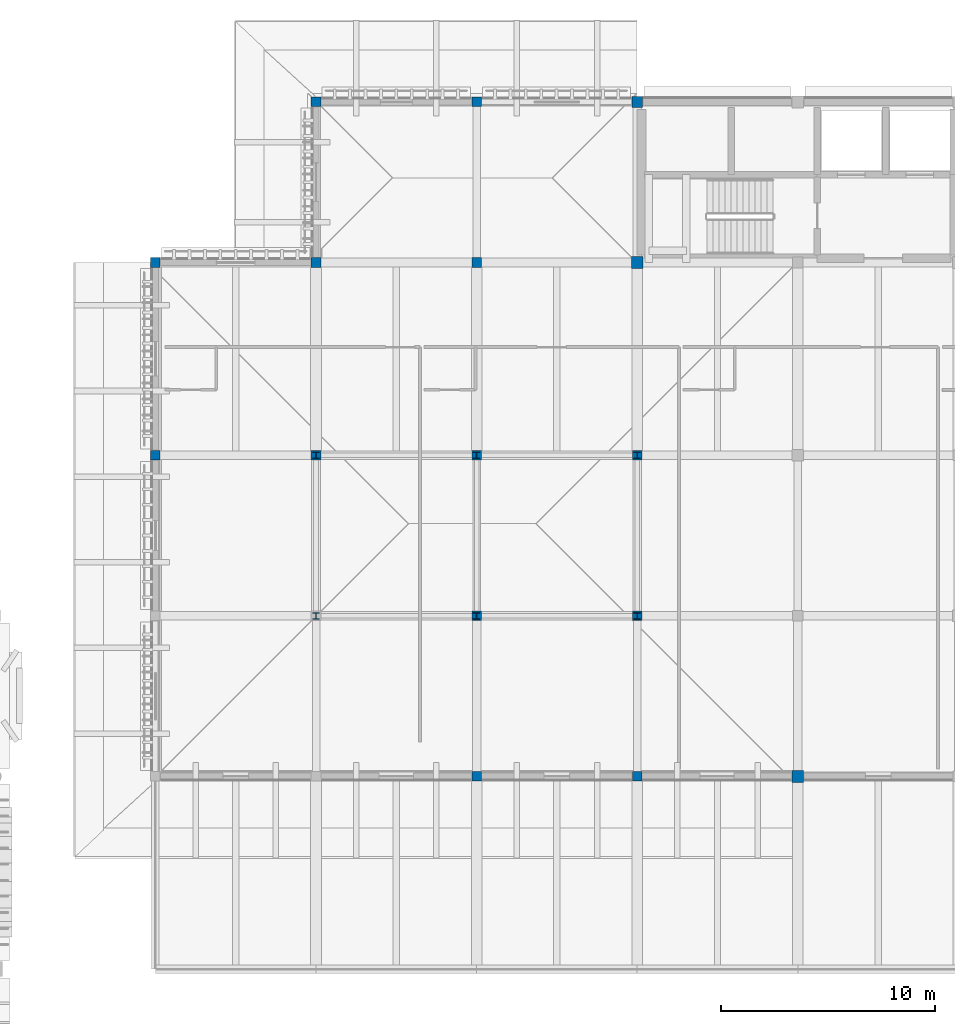
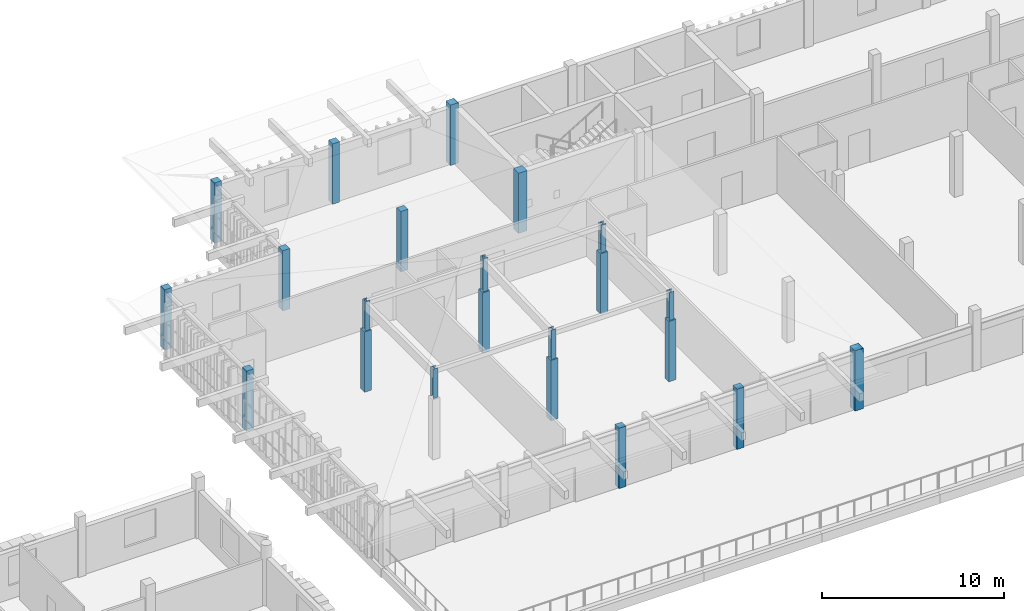
# One storey, part 5 of 48: 22 columns.
"""IFC4 building model written with IfcOpenShell, lengths in metres."""

from ifc_helpers import new_model, si_unit, direction, frame, origin, origin_2d, place, context, subcontext, project, spatial, rectangle, i_section, extrude, material, material_profile, profile_set, type_object, element, save


model = new_model("IFC4")

# Units and contexts
model_context = context("Model", 3, precision=1e-05, world=origin(), true_north=direction((0.0, 1.0)))
body_context = subcontext(model_context, "Body", "Model", "MODEL_VIEW")
ifc_project = project(units=[si_unit("LENGTHUNIT", "METRE"), si_unit("AREAUNIT", "SQUARE_METRE"), si_unit("VOLUMEUNIT", "CUBIC_METRE"), si_unit("PLANEANGLEUNIT", "RADIAN"), si_unit("MASSUNIT", "GRAM", prefix="KILO")], contexts=[model_context])

# Site, building, storey
site_placement = place(None, origin())
site = spatial("IfcSite", under=ifc_project, at=site_placement, CompositionType="ELEMENT")
building_placement = place(site_placement, origin())
building = spatial("IfcBuilding", under=site, at=building_placement, Name="Dalvernix Boulevard General Hospital", CompositionType="ELEMENT")
storey_placement = place(building_placement, frame((0.0, 0.0, 17.85009765625)))
storey = spatial("IfcBuildingStorey", under=building, at=storey_placement, Name="L04", CompositionType="ELEMENT", Elevation=17.85009765625)

# Columns
ifc_material_1 = material(Name="Concrete C40/50", Category="concrete")
ifc_material_profile_1 = material_profile(ifc_material_1, rectangle(XDim=0.550048828125, YDim=0.550048828125, at=origin_2d()), Name="RC 550x550")
ifc_profile_set_1 = profile_set([ifc_material_profile_1], Name="Concrete C40/50")
column_type_1 = type_object("IfcColumnType", Name="COL-C-08-E", PredefinedType="COLUMN", material=ifc_profile_set_1)
column_1_placement = place(storey_placement, frame((67.5, 85.5, 0.0), z_axis=(0.0, 0.0, 1.0), x_axis=(1.0, 0.0, 0.0)))
element("IfcColumn", 1, at=column_1_placement, inside=storey, type_object=column_type_1, Name="L04 column 10M", PredefinedType="COLUMN", context=body_context, shape_type="SweptSolid", body=[
    extrude(rectangle(XDim=0.550048828125, YDim=0.550048828125, at=origin_2d()), origin(), (0.0, 0.0, 1.0), 4.0498046875),
])
ifc_material_profile_2 = material_profile(ifc_material_1, rectangle(XDim=0.550048828125, YDim=0.550048828125, at=origin_2d()), Name="RC 550x550")
ifc_profile_set_2 = profile_set([ifc_material_profile_2], Name="Concrete C40/50")
column_type_2 = type_object("IfcColumnType", Name="COL-C-08-I", PredefinedType="COLUMN", material=ifc_profile_set_2)
column_2_placement = place(storey_placement, frame((60.0, 109.5, 0.0), z_axis=(0.0, 0.0, 1.0), x_axis=(1.0, 0.0, 0.0)))
element("IfcColumn", 2, at=column_2_placement, inside=storey, type_object=column_type_2, Name="L04 column 9Q", PredefinedType="COLUMN", context=body_context, shape_type="SweptSolid", body=[
    extrude(rectangle(XDim=0.550048828125, YDim=0.550048828125, at=origin_2d()), origin(), (0.0, 0.0, 1.0), 4.0498046875),
])
ifc_material_profile_3 = material_profile(ifc_material_1, rectangle(XDim=0.5, YDim=0.5, at=origin_2d()), Name="RC 500x500")
ifc_profile_set_3 = profile_set([ifc_material_profile_3], Name="Concrete C40/50")
column_type_3 = type_object("IfcColumnType", Name="COL-C-09-E", PredefinedType="COLUMN", material=ifc_profile_set_3)
column_3_placement = place(storey_placement, frame((60.0, 117.0, 0.0), z_axis=(0.0, 0.0, 1.0), x_axis=(1.0, 0.0, 0.0)))
element("IfcColumn", 3, at=column_3_placement, inside=storey, type_object=column_type_3, Name="L04 column 9R", PredefinedType="COLUMN", context=body_context, shape_type="SweptSolid", body=[
    extrude(rectangle(XDim=0.5, YDim=0.5, at=origin_2d()), origin(), (0.0, 0.0, 1.0), 4.0498046875),
])
ifc_material_profile_4 = material_profile(ifc_material_1, rectangle(XDim=0.449951171875, YDim=0.449951171875, at=origin_2d()), Name="RC 450x450")
ifc_profile_set_4 = profile_set([ifc_material_profile_4], Name="Concrete C40/50")
column_type_4 = type_object("IfcColumnType", Name="COL-C-10-E", PredefinedType="COLUMN", material=ifc_profile_set_4)
for number, where, z_axis, x_axis, name in (
    (4, (37.5, 100.5, 0.0), (0.0, 0.0, 1.0), (1.0, 0.0, 0.0), "L04 column 6P"),
    (5, (37.5, 109.5, 0.0), (0.0, 0.0, 1.0), (1.0, 0.0, 0.0), "L04 column 6Q"),
    (6, (45.0, 109.5, 0.0), (0.0, 0.0, 1.0), (1.0, 0.0, 0.0), "L04 column 7Q"),
    (7, (45.0, 117.0, 0.0), (0.0, 0.0, 1.0), (1.0, 0.0, 0.0), "L04 column 7R"),
    (8, (52.5, 85.5, 0.0), (0.0, 0.0, 1.0), (1.0, 0.0, 0.0), "L04 column 8M"),
    (9, (52.5, 117.0, 0.0), (0.0, 0.0, 1.0), (1.0, 0.0, 0.0), "L04 column 8R"),
    (10, (60.0, 85.5, 0.0), (0.0, 0.0, 1.0), (1.0, 0.0, 0.0), "L04 column 9M"),
):
    element("IfcColumn", number, at=place(storey_placement, frame(where, z_axis=z_axis, x_axis=x_axis)), inside=storey, type_object=column_type_4, Name=name, PredefinedType="COLUMN", context=body_context, shape_type="SweptSolid", body=[
        extrude(rectangle(XDim=0.449951171875, YDim=0.449951171875, at=origin_2d()), origin(), (0.0, 0.0, 1.0), 4.0498046875),
    ])
ifc_material_profile_5 = material_profile(ifc_material_1, rectangle(XDim=0.449951171875, YDim=0.449951171875, at=origin_2d()), Name="RC 450x450")
ifc_profile_set_5 = profile_set([ifc_material_profile_5], Name="Concrete C40/50")
column_type_5 = type_object("IfcColumnType", Name="COL-C-10-I", PredefinedType="COLUMN", material=ifc_profile_set_5)
for number, where, z_axis, x_axis, name in (
    (11, (45.0, 100.5, 0.0), (0.0, 0.0, 1.0), (1.0, 0.0, 0.0), "L04 column 7P"),
    (12, (52.5, 93.0, 0.0), (0.0, 0.0, 1.0), (1.0, 0.0, 0.0), "L04 column 8N"),
    (13, (52.5, 100.5, 0.0), (0.0, 0.0, 1.0), (1.0, 0.0, 0.0), "L04 column 8P"),
    (14, (52.5, 109.5, 0.0), (0.0, 0.0, 1.0), (1.0, 0.0, 0.0), "L04 column 8Q"),
    (15, (60.0, 93.0, 0.0), (0.0, 0.0, 1.0), (1.0, 0.0, 0.0), "L04 column 9N"),
    (16, (60.0, 100.5, 0.0), (0.0, 0.0, 1.0), (1.0, 0.0, 0.0), "L04 column 9P"),
):
    element("IfcColumn", number, at=place(storey_placement, frame(where, z_axis=z_axis, x_axis=x_axis)), inside=storey, type_object=column_type_5, Name=name, PredefinedType="COLUMN", context=body_context, shape_type="SweptSolid", body=[
        extrude(rectangle(XDim=0.449951171875, YDim=0.449951171875, at=origin_2d()), origin(), (0.0, 0.0, 1.0), 4.0498046875),
    ])
ifc_material_2 = material(Name="Steel S355", Category="steel")
ifc_material_profile_6 = material_profile(ifc_material_2, i_section(OverallWidth=0.300048828125, OverallDepth=0.300048828125, WebThickness=0.010986328125, FlangeThickness=0.01904296875, FilletRadius=0.027099609375, at=origin_2d()), Name="HEB 300")
ifc_profile_set_6 = profile_set([ifc_material_profile_6], Name="Steel S355")
column_type_6 = type_object("IfcColumnType", Name="COL-C-18", PredefinedType="COLUMN", material=ifc_profile_set_6)
for number, where, z_axis, x_axis, name in (
    (17, (45.0, 93.0, 4.0498046875), (0.0, 0.0, 1.0), (1.0, 0.0, 0.0), "V3W roof king post 7N"),
    (18, (45.0, 100.5, 4.0498046875), (0.0, 0.0, 1.0), (1.0, 0.0, 0.0), "V3W roof king post 7P"),
    (19, (52.5, 93.0, 4.0498046875), (0.0, 0.0, 1.0), (1.0, 0.0, 0.0), "V3W roof king post 8N"),
):
    element("IfcColumn", number, at=place(storey_placement, frame(where, z_axis=z_axis, x_axis=x_axis)), inside=storey, type_object=column_type_6, Name=name, PredefinedType="COLUMN", context=body_context, shape_type="SweptSolid", body=[
        extrude(i_section(OverallWidth=0.300048828125, OverallDepth=0.300048828125, WebThickness=0.010986328125, FlangeThickness=0.01904296875, FilletRadius=0.027099609375, at=origin_2d()), origin(), (0.0, 0.0, 1.0), 1.97021484375),
    ])
column_4_placement = place(storey_placement, frame((52.5, 100.5, 4.0498046875), z_axis=(0.0, 0.0, 1.0), x_axis=(1.0, 0.0, 0.0)))
element("IfcColumn", 20, at=column_4_placement, inside=storey, type_object=column_type_6, Name="V3W roof king post 8P", PredefinedType="COLUMN", context=body_context, shape_type="SweptSolid", body=[
    extrude(i_section(OverallWidth=0.300048828125, OverallDepth=0.300048828125, WebThickness=0.010986328125, FlangeThickness=0.01904296875, FilletRadius=0.027099609375, at=origin_2d()), origin(), (0.0, 0.0, 1.0), 2.240478515625),
])
for number, where, z_axis, x_axis, name in (
    (21, (60.0, 93.0, 4.0498046875), (0.0, 0.0, 1.0), (1.0, 0.0, 0.0), "V3W roof king post 9N"),
    (22, (60.0, 100.5, 4.0498046875), (0.0, 0.0, 1.0), (1.0, 0.0, 0.0), "V3W roof king post 9P"),
):
    element("IfcColumn", number, at=place(storey_placement, frame(where, z_axis=z_axis, x_axis=x_axis)), inside=storey, type_object=column_type_6, Name=name, PredefinedType="COLUMN", context=body_context, shape_type="SweptSolid", body=[
        extrude(i_section(OverallWidth=0.300048828125, OverallDepth=0.300048828125, WebThickness=0.010986328125, FlangeThickness=0.01904296875, FilletRadius=0.027099609375, at=origin_2d()), origin(), (0.0, 0.0, 1.0), 1.871826171875),
    ])

save(model, "model.ifc")
